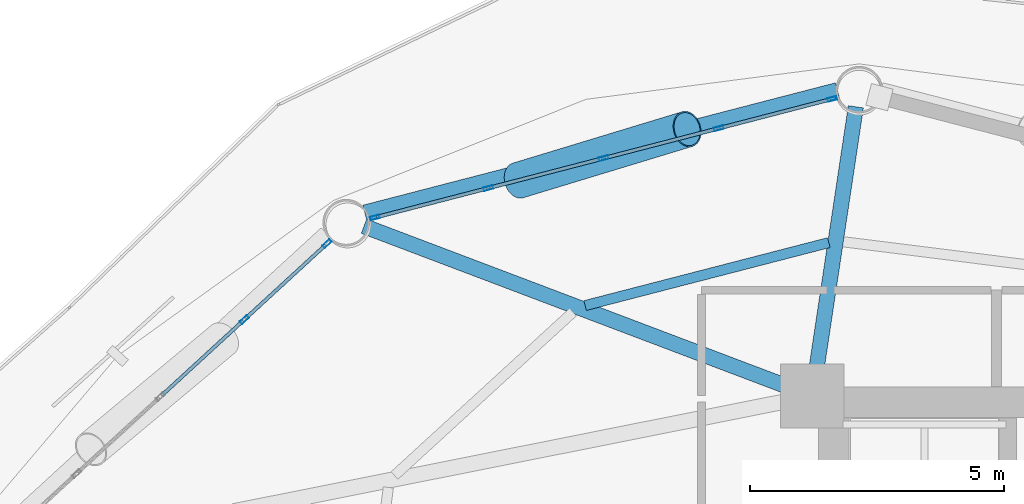
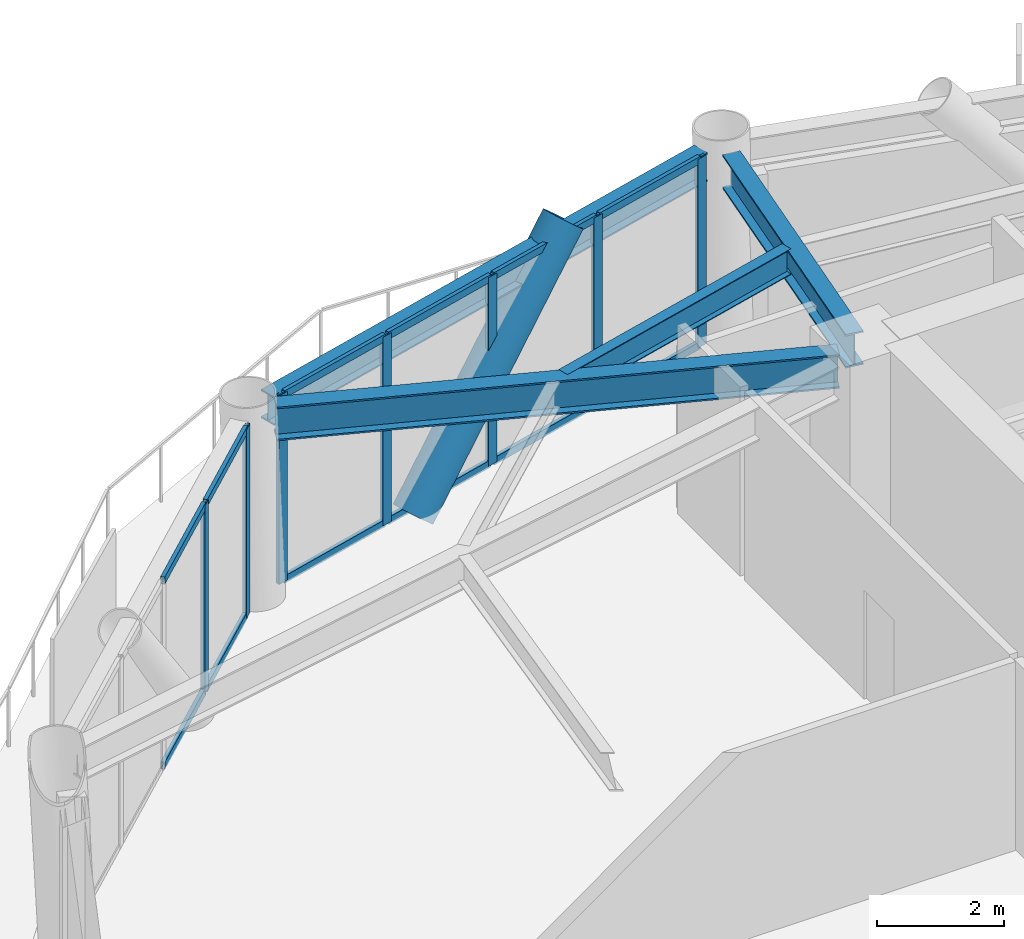
# One storey, part 16 of 23: 20 members, 4 beams, 2 elements without a shape of their own.
"""IFC4 building model written with IfcOpenShell, lengths in metres."""

import ifcopenshell
import ifcopenshell.guid

model = None  # the IFC model being written
_history = None  # IfcOwnerHistory: only IFC2X3 demands one
_inside = {}  # id of a spatial element -> (the spatial element, [elements in it])
_under = {}  # id of a project, library or spatial element -> (it, [spatial elements below it])
_declared = {}  # id of a project -> (the project, [libraries it declares])
_typed = {}  # id of a type object -> (the type object, [elements of that type])
_made_of = {}  # id of a material, layer set ... -> (it, [elements and type objects made of it])


def new_model(schema):
    """Start an empty IFC model of exactly this schema.

    Asked for "IFC4X3", IfcOpenShell would pick the latest addendum, in which some entities
    have other attributes; the version numbers below select the first issue.
    IFC2X3 requires an IfcOwnerHistory on every rooted entity: one is made here for all.
    """
    global model, _history
    if schema == "IFC4X3":
        model = ifcopenshell.file(schema_version=(4, 3, 0, 0))
    else:
        model = ifcopenshell.file(schema=schema)
    _inside.clear()
    _under.clear()
    _declared.clear()
    _typed.clear()
    _made_of.clear()
    _history = None
    if model.schema == "IFC2X3":
        org = make("IfcOrganization", Name="unknown")
        user = make(
            "IfcPersonAndOrganization",
            ThePerson=make("IfcPerson", FamilyName="unknown"),
            TheOrganization=org,
        )
        app = make(
            "IfcApplication",
            ApplicationDeveloper=org,
            Version="unknown",
            ApplicationFullName="unknown",
            ApplicationIdentifier="unknown",
        )
        _history = make(
            "IfcOwnerHistory",
            OwningUser=user,
            OwningApplication=app,
            ChangeAction="ADDED",
            CreationDate=0,
        )
    return model


def make(cls, **values):
    """One entity of the class cls with the attributes given. An attribute that is None is left unset."""
    return model.create_entity(
        cls, **{name: value for name, value in values.items() if value is not None}
    )


def rooted(cls, **values):
    """An entity with a GlobalId (a new one), such as an element, a storey or a relation."""
    return make(cls, GlobalId=ifcopenshell.guid.new(), OwnerHistory=_history, **values)


def si_unit(unit_type, name, prefix=None):
    """IfcSIUnit, for example si_unit("LENGTHUNIT", "METRE", prefix="MILLI")."""
    return make("IfcSIUnit", UnitType=unit_type, Prefix=prefix, Name=name)


def assignment(units):
    """IfcUnitAssignment: the units of a project."""
    return None if units is None else make("IfcUnitAssignment", Units=units)


def point(xyz):
    """IfcCartesianPoint."""
    return None if xyz is None else make("IfcCartesianPoint", Coordinates=xyz)


def direction(xyz):
    """IfcDirection."""
    return None if xyz is None else make("IfcDirection", DirectionRatios=xyz)


def frame(location, z_axis=None, x_axis=None):
    """IfcAxis2Placement3D, a coordinate frame: its origin and axes. An axis left out is left unset."""
    return make(
        "IfcAxis2Placement3D",
        Location=point(location),
        Axis=direction(z_axis),
        RefDirection=direction(x_axis),
    )


def frame_2d(location, x_axis=None):
    """IfcAxis2Placement2D, a coordinate frame in the plane: its origin and x axis."""
    return make(
        "IfcAxis2Placement2D", Location=point(location), RefDirection=direction(x_axis)
    )


def origin():
    """The frame at (0, 0, 0) with its axes left unset."""
    return frame((0.0, 0.0, 0.0))


def origin_2d():
    """The frame at (0, 0) in the plane with its x axis left unset."""
    return frame_2d((0.0, 0.0))


def place(relative_to, where):
    """IfcLocalPlacement: puts the frame where relative to a parent placement (None: the world)."""
    return make(
        "IfcLocalPlacement", PlacementRelTo=relative_to, RelativePlacement=where
    )


def context(
    kind, dimensions, precision=None, world=None, true_north=None, identifier=None
):
    """IfcGeometricRepresentationContext, for example the 3D "Model" context."""
    return make(
        "IfcGeometricRepresentationContext",
        ContextIdentifier=identifier,
        ContextType=kind,
        CoordinateSpaceDimension=dimensions,
        Precision=precision,
        WorldCoordinateSystem=world,
        TrueNorth=true_north,
    )


def subcontext(parent, identifier, kind, view, scale=None):
    """IfcGeometricRepresentationSubContext, for example "Body" below "Model"."""
    return make(
        "IfcGeometricRepresentationSubContext",
        ContextIdentifier=identifier,
        ContextType=kind,
        ParentContext=parent,
        TargetScale=scale,
        TargetView=view,
    )


def project(units=None, contexts=None):
    """IfcProject with its units and contexts."""
    return rooted(
        "IfcProject",
        Name="project",
        RepresentationContexts=contexts,
        UnitsInContext=assignment(units),
    )


def spatial(cls, under=None, at=None, **own):
    """A site, building, storey or space (cls), placed at a placement, below another one or the project."""
    s = rooted(cls, ObjectPlacement=at, **own)
    if under is not None:
        _under.setdefault(under.id(), (under, []))[1].append(s)
    return s


def profile(cls, at=None, kind="AREA", **sizes):
    """A parametric profile (cls). Its sizes go by their IFC names, for example OverallWidth=200.0."""
    return make(cls, ProfileType=kind, Position=at, **sizes)


def hollow_rectangle(**sizes):
    """IfcRectangleHollowProfileDef."""
    return profile("IfcRectangleHollowProfileDef", **sizes)


def hollow_circle(**sizes):
    """IfcCircleHollowProfileDef."""
    return profile("IfcCircleHollowProfileDef", **sizes)


def i_section(**sizes):
    """IfcIShapeProfileDef."""
    return profile("IfcIShapeProfileDef", **sizes)


def extrude(swept, where, along, depth):
    """IfcExtrudedAreaSolid: the profile swept, set in the frame where, extruded along a direction by depth."""
    return make(
        "IfcExtrudedAreaSolid",
        SweptArea=swept,
        Position=where,
        ExtrudedDirection=direction(along),
        Depth=depth,
    )


def shape(context_of_items, identifier, shape_type, items):
    """IfcShapeRepresentation: the items that make up one representation, for example the "Body"."""
    return make(
        "IfcShapeRepresentation",
        ContextOfItems=context_of_items,
        RepresentationIdentifier=identifier,
        RepresentationType=shape_type,
        Items=items,
    )


def material(Name=None, Category=None):
    """IfcMaterial."""
    return make("IfcMaterial", Name=Name, Category=Category)


def layer(
    of_material, thickness, ventilated=None, Name=None, Category=None, Priority=None
):
    """IfcMaterialLayer: one layer of a wall or slab, of a material (None: an air gap)."""
    return make(
        "IfcMaterialLayer",
        Material=of_material,
        LayerThickness=thickness,
        IsVentilated=ventilated,
        Name=Name,
        Category=Category,
        Priority=Priority,
    )


def layer_set(layers, Name=None):
    """IfcMaterialLayerSet."""
    return make("IfcMaterialLayerSet", MaterialLayers=layers, LayerSetName=Name)


def material_profile(
    of_material, cross_section, Name=None, Category=None, Priority=None
):
    """IfcMaterialProfile: a cross section and its material."""
    return make(
        "IfcMaterialProfile",
        Name=Name,
        Material=of_material,
        Profile=cross_section,
        Priority=Priority,
        Category=Category,
    )


def profile_set(profiles, Name=None, composite=None):
    """IfcMaterialProfileSet."""
    return make(
        "IfcMaterialProfileSet",
        Name=Name,
        MaterialProfiles=profiles,
        CompositeProfile=composite,
    )


def made_of(thing, what):
    """Note that an element or type object is made of a material, layer set ...; save() writes the relation."""
    if what is not None:
        _made_of.setdefault(what.id(), (what, []))[1].append(thing)
    return thing


def type_object(cls, material=None, **own):
    """A type object (cls), such as IfcWallType, which elements share."""
    return made_of(rooted(cls, **own), material)


def element(
    cls,
    number,
    at=None,
    inside=None,
    cuts=None,
    type_object=None,
    material=None,
    context=None,
    identifier="Body",
    shape_type=None,
    held_by="IfcProductDefinitionShape",
    body=None,
    shapes=None,
    **own,
):
    """One element of the class cls, such as IfcWall. Its Tag is "e" and its number.

    at: its placement. inside: the storey or other place that contains it. cuts: it is an
    opening in that element (IfcRelVoidsElement). A single representation is given by context,
    identifier, shape_type and body (its items); several are given by shapes. held_by: the class
    of the entity that holds the representations. save() writes the other relations.
    """
    e = rooted(cls, Tag="e%d" % number, ObjectPlacement=at, **own)
    if body is not None:
        shapes = [shape(context, identifier, shape_type, body)]
    if shapes is not None:
        e.Representation = make(held_by, Representations=shapes)
    if inside is not None:
        _inside.setdefault(inside.id(), (inside, []))[1].append(e)
    if cuts is not None:
        rooted(
            "IfcRelVoidsElement", RelatingBuildingElement=cuts, RelatedOpeningElement=e
        )
    if type_object is not None:
        _typed.setdefault(type_object.id(), (type_object, []))[1].append(e)
    return made_of(e, material)


def aggregate(whole, parts):
    """IfcRelAggregates: a whole, such as a stair, and the parts it consists of."""
    return rooted("IfcRelAggregates", RelatingObject=whole, RelatedObjects=parts)


def save(model, path):
    """Write the relations noted so far, then the file.

    IfcRelAggregates (storeys below a building ...), IfcRelContainedInSpatialStructure (elements
    in a storey), IfcRelDefinesByType, IfcRelAssociatesMaterial and IfcRelDeclares: one each for
    every whole, place, type object, material and project.
    """
    for whole, parts in _under.values():
        aggregate(whole, parts)
    for where, things in _inside.values():
        rooted(
            "IfcRelContainedInSpatialStructure",
            RelatedElements=things,
            RelatingStructure=where,
        )
    for kind, things in _typed.values():
        rooted("IfcRelDefinesByType", RelatedObjects=things, RelatingType=kind)
    for what, things in _made_of.values():
        rooted("IfcRelAssociatesMaterial", RelatedObjects=things, RelatingMaterial=what)
    for by, libraries in _declared.values():
        rooted("IfcRelDeclares", RelatingContext=by, RelatedDefinitions=libraries)
    model.write(path)


model = new_model("IFC4")

# Units and contexts
model_context = context("Model", 3, precision=1e-05, world=origin(), true_north=direction((0.0, 1.0)))
body_context = subcontext(model_context, "Body", "Model", "MODEL_VIEW")
ifc_project = project(units=[si_unit("LENGTHUNIT", "METRE"), si_unit("AREAUNIT", "SQUARE_METRE"), si_unit("VOLUMEUNIT", "CUBIC_METRE"), si_unit("PLANEANGLEUNIT", "RADIAN"), si_unit("MASSUNIT", "GRAM", prefix="KILO")], contexts=[model_context])

# Site, building, storey
site_placement = place(None, origin())
site = spatial("IfcSite", under=ifc_project, at=site_placement, CompositionType="ELEMENT")
building_placement = place(site_placement, origin())
building = spatial("IfcBuilding", under=site, at=building_placement, Name="Varnakorn Sky Granary", CompositionType="ELEMENT")
storey_placement = place(building_placement, frame((0.0, 0.0, 31.5)))
storey = spatial("IfcBuildingStorey", under=building, at=storey_placement, Name="L07", CompositionType="ELEMENT", Elevation=31.5)

# Beams
ifc_material_1 = material(Name="Steel S355JR", Category="steel")
ifc_material_profile_1 = material_profile(ifc_material_1, i_section(OverallWidth=0.300048828125, OverallDepth=0.64990234375, WebThickness=0.01611328125, FlangeThickness=0.031005859375, at=origin_2d()), Name="HE 650 B")
ifc_profile_set_1 = profile_set([ifc_material_profile_1], Name="Steel S355JR")
beam_type_1 = type_object("IfcBeamType", Name="BM-RAD-Z1", PredefinedType="BEAM", material=ifc_profile_set_1)
beam_1_placement = place(storey_placement, frame((-2.357666015625, 13.035400390625, 3.31494140625), z_axis=(0.148654157326, 0.988889246331, 0.0), x_axis=(-0.988889246331, 0.148654157326, 0.0)))
element("IfcBeam", 1, at=beam_1_placement, inside=storey, type_object=beam_type_1, Name="Radial Floor Girder RG04 L07", PredefinedType="BEAM", context=body_context, shape_type="SweptSolid", body=[
    extrude(i_section(OverallWidth=0.300048828125, OverallDepth=0.64990234375, WebThickness=0.01611328125, FlangeThickness=0.031005859375, at=origin_2d()), origin(), (0.0, 0.0, 1.0), 5.32763671875),
])
beam_2_placement = place(storey_placement, frame((-2.812744140625, 12.768798828125, 3.31494140625), z_axis=(-0.935189661138, 0.354147282499, 0.0), x_axis=(-0.354147282499, -0.935189661138, 0.0)))
element("IfcBeam", 2, at=beam_2_placement, inside=storey, type_object=beam_type_1, Name="Radial Floor Girder RG05 L07", PredefinedType="BEAM", context=body_context, shape_type="SweptSolid", body=[
    extrude(i_section(OverallWidth=0.300048828125, OverallDepth=0.64990234375, WebThickness=0.01611328125, FlangeThickness=0.031005859375, at=origin_2d()), origin(), (0.0, 0.0, 1.0), 9.001953125),
])
ifc_material_profile_2 = material_profile(ifc_material_1, i_section(OverallWidth=0.199951171875, OverallDepth=0.5, WebThickness=0.01025390625, FlangeThickness=0.01611328125, at=origin_2d()), Name="IPE 500")
ifc_profile_set_2 = profile_set([ifc_material_profile_2], Name="Steel S355JR")
beam_type_2 = type_object("IfcBeamType", Name="BM-SEC-Z1", PredefinedType="BEAM", material=ifc_profile_set_2)
beam_3_placement = place(storey_placement, frame((-2.09716796875, 15.634521484375, 3.389892578125), z_axis=(-0.968234935055, -0.250042217515, 0.0), x_axis=(0.250042217515, -0.968234935055, 0.0)))
element("IfcBeam", 3, at=beam_3_placement, inside=storey, type_object=beam_type_2, Name="Secondary Floor Chord Beam MSB04 L07", PredefinedType="BEAM", context=body_context, shape_type="SweptSolid", body=[
    extrude(i_section(OverallWidth=0.199951171875, OverallDepth=0.5, WebThickness=0.01025390625, FlangeThickness=0.01611328125, at=origin_2d()), origin(), (0.0, 0.0, 1.0), 4.946533203125),
])
ifc_material_profile_3 = material_profile(ifc_material_1, i_section(OverallWidth=0.300048828125, OverallDepth=0.550048828125, WebThickness=0.014892578125, FlangeThickness=0.029052734375, at=origin_2d()), Name="HE 550 B")
ifc_profile_set_3 = profile_set([ifc_material_profile_3], Name="Steel S355JR")
beam_type_3 = type_object("IfcBeamType", Name="BM-SPD-Z1", PredefinedType="SPANDREL", material=ifc_profile_set_3)
beam_4_placement = place(storey_placement, frame((-1.927978515625, 18.630126953125, 3.364990234375), z_axis=(-0.968051132582, -0.250752875771, 0.0), x_axis=(0.250752875771, -0.968051132582, 0.0)))
element("IfcBeam", 4, at=beam_4_placement, inside=storey, type_object=beam_type_3, Name="Perimeter Spandrel Ring Beam RB04 L07", PredefinedType="SPANDREL", context=body_context, shape_type="SweptSolid", body=[
    extrude(i_section(OverallWidth=0.300048828125, OverallDepth=0.550048828125, WebThickness=0.014892578125, FlangeThickness=0.029052734375, at=origin_2d()), origin(), (0.0, 0.0, 1.0), 9.59521484375),
])

# Curtain wall, members
ifc_material_2 = material(Name="Anodised Bronze Aluminium Alloy 6063-T6", Category="aluminium")
ifc_layer = layer(ifc_material_2, 0.18994140625, Name="Anodised Bronze Aluminium Alloy 6063-T6")
ifc_layer_set = layer_set([ifc_layer], Name="Anodised Bronze Aluminium Alloy 6063-T6")
curtain_wall_type = type_object("IfcCurtainWallType", Name="CW-FRM-1", PredefinedType="USERDEFINED", material=ifc_layer_set)
curtain_wall_1_placement = place(storey_placement, origin())
curtain_wall_1 = element("IfcCurtainWall", 5, at=curtain_wall_1_placement, inside=storey, type_object=curtain_wall_type, Name="Unitised Curtain Wall CW3 CW-L07-B04", ObjectType="CURTAIN WALL", PredefinedType="USERDEFINED")
ifc_material_profile_4 = material_profile(ifc_material_2, hollow_rectangle(XDim=0.070068359375, YDim=0.18505859375, WallThickness=0.00390625, at=origin_2d()), Name="ALU MULL 70x185")
ifc_profile_set_4 = profile_set([ifc_material_profile_4], Name="Anodised Bronze Aluminium Alloy 6063-T6")
member_type_1 = type_object("IfcMemberType", Name="CW-FRM-1-MULL", PredefinedType="MULLION", material=ifc_profile_set_4)
member_1_placement = place(storey_placement, frame((-11.017333984375, 16.12646484375, 0.0), z_axis=(0.0, 0.0, 1.0), x_axis=(-0.251164802538, 0.967944338258, 0.0)))
member_1 = element("IfcMember", 6, at=member_1_placement, type_object=member_type_1, Name="CW3 mullion 1", PredefinedType="MULLION", context=body_context, shape_type="SweptSolid", body=[
    extrude(hollow_rectangle(XDim=0.070068359375, YDim=0.18505859375, WallThickness=0.00390625, at=origin_2d()), origin(), (0.0, 0.0, 1.0), 3.639892578125),
])
member_2_placement = place(storey_placement, frame((-8.788330078125, 16.704833984375, 0.0), z_axis=(0.0, 0.0, 1.0), x_axis=(-0.251164802538, 0.967944338258, 0.0)))
member_2 = element("IfcMember", 7, at=member_2_placement, type_object=member_type_1, Name="CW3 mullion 2", PredefinedType="MULLION", context=body_context, shape_type="SweptSolid", body=[
    extrude(hollow_rectangle(XDim=0.070068359375, YDim=0.18505859375, WallThickness=0.00390625, at=origin_2d()), origin(), (0.0, 0.0, 1.0), 3.639892578125),
])
member_3_placement = place(storey_placement, frame((-6.525634765625, 17.291748046875, 0.0), z_axis=(0.0, 0.0, 1.0), x_axis=(-0.251164802538, 0.967944338258, 0.0)))
member_3 = element("IfcMember", 8, at=member_3_placement, type_object=member_type_1, Name="CW3 mullion 3", PredefinedType="MULLION", context=body_context, shape_type="SweptSolid", body=[
    extrude(hollow_rectangle(XDim=0.070068359375, YDim=0.18505859375, WallThickness=0.00390625, at=origin_2d()), origin(), (0.0, 0.0, 1.0), 3.639892578125),
])
member_4_placement = place(storey_placement, frame((-4.26318359375, 17.87890625, 0.0), z_axis=(0.0, 0.0, 1.0), x_axis=(-0.251164802538, 0.967944338258, 0.0)))
member_4 = element("IfcMember", 9, at=member_4_placement, type_object=member_type_1, Name="CW3 mullion 4", PredefinedType="MULLION", context=body_context, shape_type="SweptSolid", body=[
    extrude(hollow_rectangle(XDim=0.070068359375, YDim=0.18505859375, WallThickness=0.00390625, at=origin_2d()), origin(), (0.0, 0.0, 1.0), 3.639892578125),
])
member_5_placement = place(storey_placement, frame((-2.0341796875, 18.457275390625, 0.0), z_axis=(0.0, 0.0, 1.0), x_axis=(-0.251164802538, 0.967944338258, 0.0)))
member_5 = element("IfcMember", 10, at=member_5_placement, type_object=member_type_1, Name="CW3 mullion 5", PredefinedType="MULLION", context=body_context, shape_type="SweptSolid", body=[
    extrude(hollow_rectangle(XDim=0.070068359375, YDim=0.18505859375, WallThickness=0.00390625, at=origin_2d()), origin(), (0.0, 0.0, 1.0), 3.639892578125),
])

curtain_wall_2_placement = place(storey_placement, origin())
curtain_wall_2 = element("IfcCurtainWall", 11, at=curtain_wall_2_placement, inside=storey, type_object=curtain_wall_type, Name="Unitised Curtain Wall CW3 CW-L07-B05", ObjectType="CURTAIN WALL", PredefinedType="USERDEFINED")
member_6_placement = place(storey_placement, frame((-13.58154296875, 14.12353515625, 0.0), z_axis=(0.0, 0.0, 1.0), x_axis=(-0.676386704621, 0.736546689499, 0.0)))
member_6 = element("IfcMember", 12, at=member_6_placement, type_object=member_type_1, Name="CW3 mullion 4", PredefinedType="MULLION", context=body_context, shape_type="SweptSolid", body=[
    extrude(hollow_rectangle(XDim=0.070068359375, YDim=0.18505859375, WallThickness=0.00390625, at=origin_2d()), origin(), (0.0, 0.0, 1.0), 3.639892578125),
])
member_7_placement = place(storey_placement, frame((-11.9580078125, 15.6142578125, 0.0), z_axis=(0.0, 0.0, 1.0), x_axis=(-0.676386704621, 0.736546689499, 0.0)))
member_7 = element("IfcMember", 13, at=member_7_placement, type_object=member_type_1, Name="CW3 mullion 5", PredefinedType="MULLION", context=body_context, shape_type="SweptSolid", body=[
    extrude(hollow_rectangle(XDim=0.070068359375, YDim=0.18505859375, WallThickness=0.00390625, at=origin_2d()), origin(), (0.0, 0.0, 1.0), 3.639892578125),
])

# Member
ifc_material_profile_5 = material_profile(ifc_material_2, hollow_rectangle(XDim=0.070068359375, YDim=0.139892578125, WallThickness=0.00341796875, at=origin_2d()), Name="ALU TRAN 70x140")
ifc_profile_set_5 = profile_set([ifc_material_profile_5], Name="Anodised Bronze Aluminium Alloy 6063-T6")
member_type_2 = type_object("IfcMemberType", Name="CW-FRM-1-TRAN", PredefinedType="USERDEFINED", material=ifc_profile_set_5)
member_8_placement = place(storey_placement, frame((-10.9833984375, 16.13525390625, 0.034912109375), z_axis=(0.967942764186, 0.251170868655, 0.0), x_axis=(-0.251170868655, 0.967942764186, 0.0)))
member_8 = element("IfcMember", 14, at=member_8_placement, type_object=member_type_2, Name="CW3 transom 1.1", ObjectType="TRANSOM", PredefinedType="USERDEFINED", context=body_context, shape_type="SweptSolid", body=[
    extrude(hollow_rectangle(XDim=0.070068359375, YDim=0.139892578125, WallThickness=0.00341796875, at=origin_2d()), origin(), (0.0, 0.0, 1.0), 2.232666015625),
])

member_9_placement = place(storey_placement, frame((-10.9833984375, 16.13525390625, 3.60498046875), z_axis=(0.967942764186, 0.251170868655, 0.0), x_axis=(-0.251170868655, 0.967942764186, 0.0)))
member_9 = element("IfcMember", 15, at=member_9_placement, type_object=member_type_2, Name="CW3 transom 1.2", ObjectType="TRANSOM", PredefinedType="USERDEFINED", context=body_context, shape_type="SweptSolid", body=[
    extrude(hollow_rectangle(XDim=0.070068359375, YDim=0.139892578125, WallThickness=0.00341796875, at=origin_2d()), origin(), (0.0, 0.0, 1.0), 2.232666015625),
])

member_10_placement = place(storey_placement, frame((-8.754638671875, 16.713623046875, 0.034912109375), z_axis=(0.96797073901, 0.251063036745, 0.0), x_axis=(-0.251063036745, 0.96797073901, 0.0)))
member_10 = element("IfcMember", 16, at=member_10_placement, type_object=member_type_2, Name="CW3 transom 2.1", ObjectType="TRANSOM", PredefinedType="USERDEFINED", context=body_context, shape_type="SweptSolid", body=[
    extrude(hollow_rectangle(XDim=0.070068359375, YDim=0.139892578125, WallThickness=0.00341796875, at=origin_2d()), origin(), (0.0, 0.0, 1.0), 2.267822265625),
])

member_11_placement = place(storey_placement, frame((-8.754638671875, 16.713623046875, 3.60498046875), z_axis=(0.96797073901, 0.251063036745, 0.0), x_axis=(-0.251063036745, 0.96797073901, 0.0)))
member_11 = element("IfcMember", 17, at=member_11_placement, type_object=member_type_2, Name="CW3 transom 2.2", ObjectType="TRANSOM", PredefinedType="USERDEFINED", context=body_context, shape_type="SweptSolid", body=[
    extrude(hollow_rectangle(XDim=0.070068359375, YDim=0.139892578125, WallThickness=0.00341796875, at=origin_2d()), origin(), (0.0, 0.0, 1.0), 2.267822265625),
])

member_12_placement = place(storey_placement, frame((-6.491943359375, 17.300537109375, 0.034912109375), z_axis=(0.967944570757, 0.251163906526, 0.0), x_axis=(-0.251163906526, 0.967944570757, 0.0)))
member_12 = element("IfcMember", 18, at=member_12_placement, type_object=member_type_2, Name="CW3 transom 3.1", ObjectType="TRANSOM", PredefinedType="USERDEFINED", context=body_context, shape_type="SweptSolid", body=[
    extrude(hollow_rectangle(XDim=0.070068359375, YDim=0.139892578125, WallThickness=0.00341796875, at=origin_2d()), origin(), (0.0, 0.0, 1.0), 2.267822265625),
])

member_13_placement = place(storey_placement, frame((-6.491943359375, 17.300537109375, 3.60498046875), z_axis=(0.967944570757, 0.251163906526, 0.0), x_axis=(-0.251163906526, 0.967944570757, 0.0)))
member_13 = element("IfcMember", 19, at=member_13_placement, type_object=member_type_2, Name="CW3 transom 3.2", ObjectType="TRANSOM", PredefinedType="USERDEFINED", context=body_context, shape_type="SweptSolid", body=[
    extrude(hollow_rectangle(XDim=0.070068359375, YDim=0.139892578125, WallThickness=0.00341796875, at=origin_2d()), origin(), (0.0, 0.0, 1.0), 2.267822265625),
])

member_14_placement = place(storey_placement, frame((-4.229248046875, 17.8876953125, 0.034912109375), z_axis=(0.967942764186, 0.251170868655, 0.0), x_axis=(-0.251170868655, 0.967942764186, 0.0)))
member_14 = element("IfcMember", 20, at=member_14_placement, type_object=member_type_2, Name="CW3 transom 4.1", ObjectType="TRANSOM", PredefinedType="USERDEFINED", context=body_context, shape_type="SweptSolid", body=[
    extrude(hollow_rectangle(XDim=0.070068359375, YDim=0.139892578125, WallThickness=0.00341796875, at=origin_2d()), origin(), (0.0, 0.0, 1.0), 2.232666015625),
])

member_15_placement = place(storey_placement, frame((-4.229248046875, 17.8876953125, 3.60498046875), z_axis=(0.967942764186, 0.251170868655, 0.0), x_axis=(-0.251170868655, 0.967942764186, 0.0)))
member_15 = element("IfcMember", 21, at=member_15_placement, type_object=member_type_2, Name="CW3 transom 4.2", ObjectType="TRANSOM", PredefinedType="USERDEFINED", context=body_context, shape_type="SweptSolid", body=[
    extrude(hollow_rectangle(XDim=0.070068359375, YDim=0.139892578125, WallThickness=0.00341796875, at=origin_2d()), origin(), (0.0, 0.0, 1.0), 2.232666015625),
])

aggregate(curtain_wall_1, [member_1, member_2, member_3, member_4, member_5, member_8, member_9, member_10, member_11, member_12, member_13, member_14, member_15])

member_16_placement = place(storey_placement, frame((-15.204833984375, 12.6328125, 0.034912109375), z_axis=(0.736574518081, 0.676356399625, 0.0), x_axis=(-0.676356399625, 0.736574518081, 0.0)))
member_16 = element("IfcMember", 22, at=member_16_placement, type_object=member_type_2, Name="CW3 transom 3.1", ObjectType="TRANSOM", PredefinedType="USERDEFINED", context=body_context, shape_type="SweptSolid", body=[
    extrude(hollow_rectangle(XDim=0.070068359375, YDim=0.139892578125, WallThickness=0.00341796875, at=origin_2d()), origin(), (0.0, 0.0, 1.0), 2.1689453125),
])

member_17_placement = place(storey_placement, frame((-15.204833984375, 12.6328125, 3.60498046875), z_axis=(0.736574518081, 0.676356399625, 0.0), x_axis=(-0.676356399625, 0.736574518081, 0.0)))
member_17 = element("IfcMember", 23, at=member_17_placement, type_object=member_type_2, Name="CW3 transom 3.2", ObjectType="TRANSOM", PredefinedType="USERDEFINED", context=body_context, shape_type="SweptSolid", body=[
    extrude(hollow_rectangle(XDim=0.070068359375, YDim=0.139892578125, WallThickness=0.00341796875, at=origin_2d()), origin(), (0.0, 0.0, 1.0), 2.1689453125),
])

member_18_placement = place(storey_placement, frame((-13.5556640625, 14.147216796875, 0.034912109375), z_axis=(0.736555478372, 0.676377133913, 0.0), x_axis=(-0.676377133913, 0.736555478372, 0.0)))
member_18 = element("IfcMember", 24, at=member_18_placement, type_object=member_type_2, Name="CW3 transom 4.1", ObjectType="TRANSOM", PredefinedType="USERDEFINED", context=body_context, shape_type="SweptSolid", body=[
    extrude(hollow_rectangle(XDim=0.070068359375, YDim=0.139892578125, WallThickness=0.00341796875, at=origin_2d()), origin(), (0.0, 0.0, 1.0), 2.134033203125),
])

member_19_placement = place(storey_placement, frame((-13.5556640625, 14.147216796875, 3.60498046875), z_axis=(0.736555478372, 0.676377133913, 0.0), x_axis=(-0.676377133913, 0.736555478372, 0.0)))
member_19 = element("IfcMember", 25, at=member_19_placement, type_object=member_type_2, Name="CW3 transom 4.2", ObjectType="TRANSOM", PredefinedType="USERDEFINED", context=body_context, shape_type="SweptSolid", body=[
    extrude(hollow_rectangle(XDim=0.070068359375, YDim=0.139892578125, WallThickness=0.00341796875, at=origin_2d()), origin(), (0.0, 0.0, 1.0), 2.134033203125),
])

aggregate(curtain_wall_2, [member_6, member_7, member_16, member_17, member_18, member_19])

ifc_material_3 = material(Name="Steel S460M", Category="steel")
ifc_material_profile_6 = material_profile(ifc_material_3, hollow_circle(Radius=0.35546875, WallThickness=0.02490234375, at=origin_2d()), Name="CHS 711x25")
ifc_profile_set_6 = profile_set([ifc_material_profile_6], Name="Steel S460M")
member_type_3 = type_object("IfcMemberType", Name="MB-DIAG-T0", PredefinedType="BRACE", material=ifc_profile_set_6)
member_20_placement = place(storey_placement, frame((-8.200927734375, 16.857177734375, -0.1298828125), z_axis=(0.634132730368, 0.192534562442, 0.748869896939), x_axis=(-0.290523029144, 0.956868000059, 0.0)))
element("IfcMember", 26, at=member_20_placement, inside=storey, type_object=member_type_3, Name="Perimeter CHS Diagrid Brace DG04 L07", PredefinedType="BRACE", context=body_context, shape_type="SweptSolid", body=[
    extrude(hollow_circle(Radius=0.35546875, WallThickness=0.02490234375, at=origin_2d()), origin(), (0.0, 0.0, 1.0), 5.234375),
])

save(model, "model.ifc")
